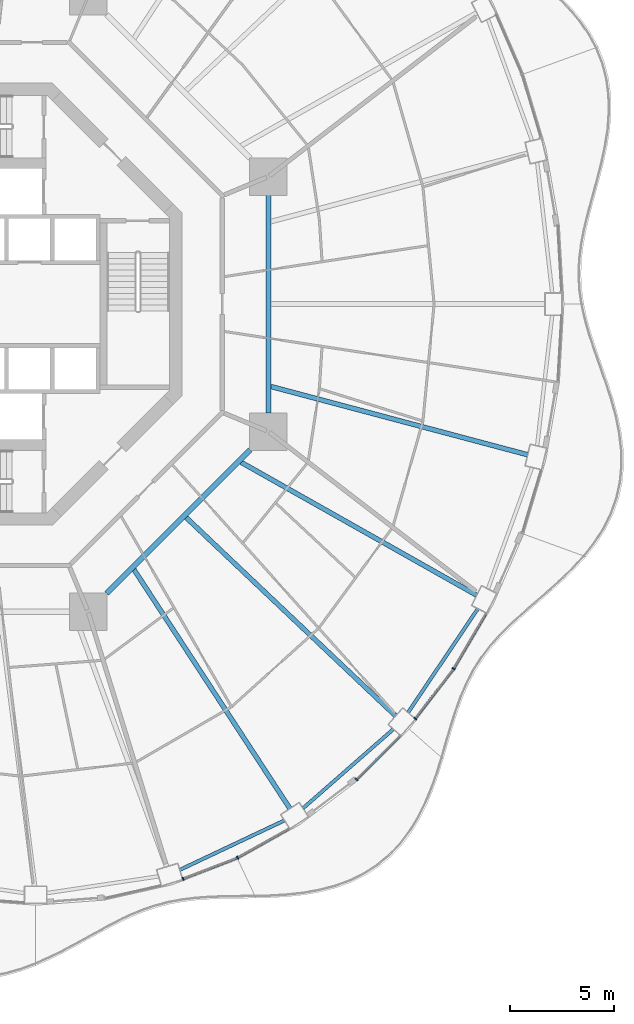
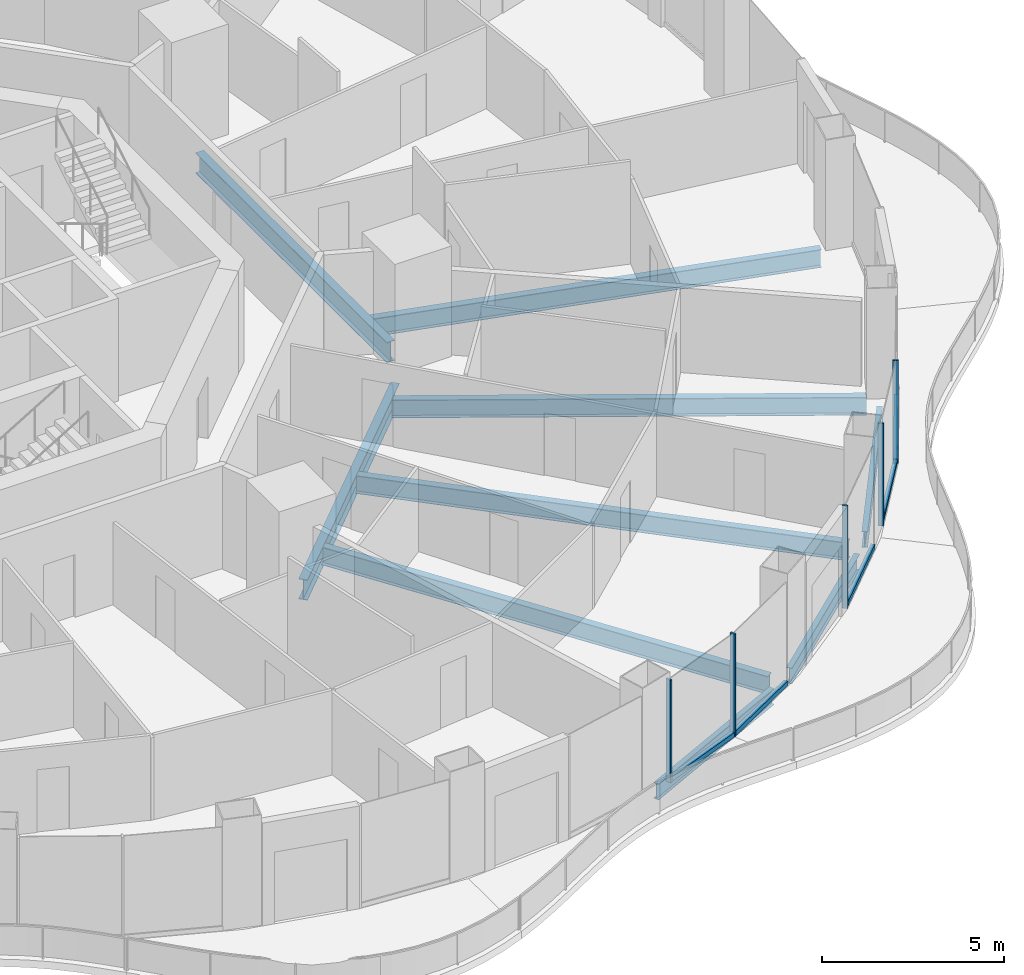
# One storey, part 4 of 19: 10 members, 9 beams, 5 elements without a shape of their own.
"""IFC4 building model written with IfcOpenShell, lengths in metres."""

from ifc_helpers import new_model, si_unit, direction, frame, origin, origin_2d, place, context, subcontext, project, spatial, rectangle, i_section, extrude, material, layer, layer_set, material_profile, profile_set, type_object, element, aggregate, save


model = new_model("IFC4")

# Units and contexts
model_context = context("Model", 3, precision=1e-05, world=origin(), true_north=direction((0.0, 1.0)))
body_context = subcontext(model_context, "Body", "Model", "MODEL_VIEW")
ifc_project = project(units=[si_unit("LENGTHUNIT", "METRE"), si_unit("AREAUNIT", "SQUARE_METRE"), si_unit("VOLUMEUNIT", "CUBIC_METRE"), si_unit("PLANEANGLEUNIT", "RADIAN"), si_unit("MASSUNIT", "GRAM", prefix="KILO")], contexts=[model_context])

# Site, building, storey
site_placement = place(None, origin())
site = spatial("IfcSite", under=ifc_project, at=site_placement, CompositionType="ELEMENT")
building_placement = place(site_placement, origin())
building = spatial("IfcBuilding", under=site, at=building_placement, Name="Nagisa Residences", CompositionType="ELEMENT")
storey_placement = place(building_placement, frame((0.0, 0.0, 195.5)))
storey = spatial("IfcBuildingStorey", under=building, at=storey_placement, Name="L49", CompositionType="ELEMENT", Elevation=195.5)

# Curtain wall, member
ifc_material_1 = material(Name="Concrete-coloured aluminium curtain wall system", Category="concrete")
ifc_layer = layer(ifc_material_1, 0.159912109375)
ifc_layer_set = layer_set([ifc_layer], Name="CW1 CURTAIN WALL")
curtain_wall_type = type_object("IfcCurtainWallType", Name="CW1 CURTAIN WALL", PredefinedType="NOTDEFINED", material=ifc_layer_set)
curtain_wall_1_placement = place(storey_placement, origin())
curtain_wall_1 = element("IfcCurtainWall", 1, at=curtain_wall_1_placement, inside=storey, type_object=curtain_wall_type, Name="cw:CW1:L49:38", PredefinedType="NOTDEFINED")
ifc_material_2 = material(Name="Concrete-coloured aluminium", Category="concrete")
ifc_material_profile_1 = material_profile(ifc_material_2, rectangle(XDim=0.159912109375, YDim=0.06005859375, at=origin_2d()), Name="CW1 MULLION 160x60")
ifc_profile_set_1 = profile_set([ifc_material_profile_1], Name="Concrete-coloured aluminium")
member_type_1 = type_object("IfcMemberType", Name="CW1 MULLION 160x60", PredefinedType="MULLION", material=ifc_profile_set_1)
member_1_placement = place(storey_placement, frame((10.6796875, -27.607421875, 0.0), z_axis=(0.0, 0.0, 1.0), x_axis=(-0.360327770268, 0.932825759707, 0.0)))
member_1 = element("IfcMember", 2, at=member_1_placement, type_object=member_type_1, Name="CW1 mullion", PredefinedType="MULLION", context=body_context, shape_type="SweptSolid", body=[
    extrude(rectangle(XDim=0.159912109375, YDim=0.06005859375, at=origin_2d()), origin(), (0.0, 0.0, 1.0), 3.43994140625),
])

curtain_wall_2_placement = place(storey_placement, origin())
curtain_wall_2 = element("IfcCurtainWall", 3, at=curtain_wall_2_placement, inside=storey, type_object=curtain_wall_type, Name="cw:CW1:L49:39", PredefinedType="NOTDEFINED")
member_2_placement = place(storey_placement, frame((13.297607421875, -26.592529296875, 0.0), z_axis=(0.0, 0.0, 1.0), x_axis=(-0.489376918501, 0.872072377523, 0.0)))
member_2 = element("IfcMember", 4, at=member_2_placement, type_object=member_type_1, Name="CW1 mullion", PredefinedType="MULLION", context=body_context, shape_type="SweptSolid", body=[
    extrude(rectangle(XDim=0.159912109375, YDim=0.06005859375, at=origin_2d()), origin(), (0.0, 0.0, 1.0), 3.43994140625),
])

curtain_wall_3_placement = place(storey_placement, origin())
curtain_wall_3 = element("IfcCurtainWall", 5, at=curtain_wall_3_placement, inside=storey, type_object=curtain_wall_type, Name="cw:CW1:L49:41", PredefinedType="NOTDEFINED")
member_3_placement = place(storey_placement, frame((19.011962890625, -22.830322265625, 0.0), z_axis=(0.0, 0.0, 1.0), x_axis=(-0.706376885714, 0.707835924016, 0.0)))
member_3 = element("IfcMember", 6, at=member_3_placement, type_object=member_type_1, Name="CW1 mullion", PredefinedType="MULLION", context=body_context, shape_type="SweptSolid", body=[
    extrude(rectangle(XDim=0.159912109375, YDim=0.06005859375, at=origin_2d()), origin(), (0.0, 0.0, 1.0), 3.43994140625),
])

curtain_wall_4_placement = place(storey_placement, origin())
curtain_wall_4 = element("IfcCurtainWall", 7, at=curtain_wall_4_placement, inside=storey, type_object=curtain_wall_type, Name="cw:CW1:L49:42", PredefinedType="NOTDEFINED")
member_4_placement = place(storey_placement, frame((21.83349609375, -19.909423828125, 0.0), z_axis=(0.0, 0.0, 1.0), x_axis=(-0.792070340816, 0.610429828235, 0.0)))
member_4 = element("IfcMember", 8, at=member_4_placement, type_object=member_type_1, Name="CW1 mullion", PredefinedType="MULLION", context=body_context, shape_type="SweptSolid", body=[
    extrude(rectangle(XDim=0.159912109375, YDim=0.06005859375, at=origin_2d()), origin(), (0.0, 0.0, 1.0), 3.43994140625),
])

curtain_wall_5_placement = place(storey_placement, origin())
curtain_wall_5 = element("IfcCurtainWall", 9, at=curtain_wall_5_placement, inside=storey, type_object=curtain_wall_type, Name="cw:CW1:L49:43", PredefinedType="NOTDEFINED")
member_5_placement = place(storey_placement, frame((23.677490234375, -17.51171875, 0.0), z_axis=(0.0, 0.0, 1.0), x_axis=(-0.862328898214, 0.506348567002, 0.0)))
member_5 = element("IfcMember", 10, at=member_5_placement, type_object=member_type_1, Name="CW1 mullion", PredefinedType="MULLION", context=body_context, shape_type="SweptSolid", body=[
    extrude(rectangle(XDim=0.159912109375, YDim=0.06005859375, at=origin_2d()), origin(), (0.0, 0.0, 1.0), 3.43994140625),
])

# Member
ifc_material_3 = material(Name="Concrete-coloured aluminium", Category="concrete")
ifc_material_profile_2 = material_profile(ifc_material_3, rectangle(XDim=0.1201171875, YDim=0.14990234375, at=origin_2d()), Name="CW1 TRANSOM 120x150")
ifc_profile_set_2 = profile_set([ifc_material_profile_2], Name="Concrete-coloured aluminium")
member_type_2 = type_object("IfcMemberType", Name="CW1 TRANSOM 120x150", PredefinedType="USERDEFINED", material=ifc_profile_set_2)
member_6_placement = place(storey_placement, frame((10.65185546875, -27.618408203125, 0.074951171875), z_axis=(0.932795487898, 0.360406128911, 0.0), x_axis=(-0.360406128911, 0.932795487898, 0.0)))
member_6 = element("IfcMember", 11, at=member_6_placement, type_object=member_type_2, Name="CW1 transom", ObjectType="TRANSOM", PredefinedType="USERDEFINED", context=body_context, shape_type="SweptSolid", body=[
    extrude(rectangle(XDim=0.1201171875, YDim=0.14990234375, at=origin_2d()), origin(), (0.0, 0.0, 1.0), 2.8193359375),
])

aggregate(curtain_wall_1, [member_1, member_6])

member_7_placement = place(storey_placement, frame((13.271484375, -26.607177734375, 0.074951171875), z_axis=(0.872078262455, 0.489366431371, 0.0), x_axis=(-0.489366431371, 0.872078262455, 0.0)))
member_7 = element("IfcMember", 12, at=member_7_placement, type_object=member_type_2, Name="CW1 transom", ObjectType="TRANSOM", PredefinedType="USERDEFINED", context=body_context, shape_type="SweptSolid", body=[
    extrude(rectangle(XDim=0.1201171875, YDim=0.14990234375, at=origin_2d()), origin(), (0.0, 0.0, 1.0), 2.863525390625),
])

aggregate(curtain_wall_2, [member_2, member_7])

member_8_placement = place(storey_placement, frame((18.99072265625, -22.8515625, 0.074951171875), z_axis=(0.707803821372, 0.706409053206, 0.0), x_axis=(-0.706409053206, 0.707803821372, 0.0)))
member_8 = element("IfcMember", 13, at=member_8_placement, type_object=member_type_2, Name="CW1 transom", ObjectType="TRANSOM", PredefinedType="USERDEFINED", context=body_context, shape_type="SweptSolid", body=[
    extrude(rectangle(XDim=0.1201171875, YDim=0.14990234375, at=origin_2d()), origin(), (0.0, 0.0, 1.0), 2.9755859375),
])

aggregate(curtain_wall_3, [member_3, member_8])

member_9_placement = place(storey_placement, frame((21.815185546875, -19.933349609375, 0.074951171875), z_axis=(0.610398538814, 0.792094453846, 0.0), x_axis=(-0.792094453846, 0.610398538814, 0.0)))
member_9 = element("IfcMember", 14, at=member_9_placement, type_object=member_type_2, Name="CW1 transom", ObjectType="TRANSOM", PredefinedType="USERDEFINED", context=body_context, shape_type="SweptSolid", body=[
    extrude(rectangle(XDim=0.1201171875, YDim=0.14990234375, at=origin_2d()), origin(), (0.0, 0.0, 1.0), 3.035400390625),
])

aggregate(curtain_wall_4, [member_4, member_9])

member_10_placement = place(storey_placement, frame((23.662353515625, -17.53759765625, 0.074951171875), z_axis=(0.506367803691, 0.862317602386, 0.0), x_axis=(-0.862317602386, 0.506367803691, 0.0)))
member_10 = element("IfcMember", 15, at=member_10_placement, type_object=member_type_2, Name="CW1 transom", ObjectType="TRANSOM", PredefinedType="USERDEFINED", context=body_context, shape_type="SweptSolid", body=[
    extrude(rectangle(XDim=0.1201171875, YDim=0.14990234375, at=origin_2d()), origin(), (0.0, 0.0, 1.0), 3.092041015625),
])

aggregate(curtain_wall_5, [member_5, member_10])

# Beams
ifc_material_4 = material(Name="Steel ASTM A572 Gr 50", Category="steel")
ifc_material_profile_3 = material_profile(ifc_material_4, i_section(OverallWidth=0.25390625, OverallDepth=0.68408203125, WebThickness=0.012451171875, FlangeThickness=0.018798828125, at=origin_2d()), Name="W690x140")
ifc_profile_set_3 = profile_set([ifc_material_profile_3], Name="Steel ASTM A572 Gr 50")
beam_type_1 = type_object("IfcBeamType", Name="Inner ring beam W690x140", PredefinedType="BEAM", material=ifc_profile_set_3)
beam_1_placement = place(storey_placement, frame((7.0087890625, -13.896240234375, -0.60205078125), z_axis=(0.707106781187, 0.707106781187, 0.0), x_axis=(-0.707106781187, 0.707106781187, 0.0)))
element("IfcBeam", 16, at=beam_1_placement, inside=storey, type_object=beam_type_1, Name="beam:L49:ib7", PredefinedType="BEAM", context=body_context, shape_type="SweptSolid", body=[
    extrude(i_section(OverallWidth=0.25390625, OverallDepth=0.68408203125, WebThickness=0.012451171875, FlangeThickness=0.018798828125, at=origin_2d()), origin(), (0.0, 0.0, 1.0), 9.740234375),
])
beam_2_placement = place(storey_placement, frame((14.781982421875, -5.242919921875, -0.60205078125), z_axis=(0.0, 1.0, 0.0), x_axis=(-1.0, 0.0, 0.0)))
element("IfcBeam", 17, at=beam_2_placement, inside=storey, type_object=beam_type_1, Name="beam:L49:ib8", PredefinedType="BEAM", context=body_context, shape_type="SweptSolid", body=[
    extrude(i_section(OverallWidth=0.25390625, OverallDepth=0.68408203125, WebThickness=0.012451171875, FlangeThickness=0.018798828125, at=origin_2d()), origin(), (0.0, 0.0, 1.0), 10.48583984375),
])
ifc_material_5 = material(Name="Steel ASTM A572 Gr 50", Category="steel")
ifc_material_profile_4 = material_profile(ifc_material_5, i_section(OverallWidth=0.166015625, OverallDepth=0.534912109375, WebThickness=0.01025390625, FlangeThickness=0.0166015625, at=origin_2d()), Name="W530x85")
ifc_profile_set_4 = profile_set([ifc_material_profile_4], Name="Steel ASTM A572 Gr 50")
beam_type_2 = type_object("IfcBeamType", Name="Perimeter ring beam W530x85", PredefinedType="BEAM", material=ifc_profile_set_4)
beam_3_placement = place(storey_placement, frame((10.522705078125, -27.17919921875, -0.527587890625), z_axis=(0.904157325884, 0.427199637232, 0.0), x_axis=(-0.427199637232, 0.904157325884, 0.0)))
element("IfcBeam", 18, at=beam_3_placement, inside=storey, type_object=beam_type_2, Name="beam:L49:pb20", PredefinedType="BEAM", context=body_context, shape_type="SweptSolid", body=[
    extrude(i_section(OverallWidth=0.166015625, OverallDepth=0.534912109375, WebThickness=0.01025390625, FlangeThickness=0.0166015625, at=origin_2d()), origin(), (0.0, 0.0, 1.0), 5.56396484375),
])
beam_4_placement = place(storey_placement, frame((16.440185546875, -24.220947265625, -0.527587890625), z_axis=(0.752461486776, 0.658636250838, 0.0), x_axis=(-0.658636250838, 0.752461486776, 0.0)))
element("IfcBeam", 19, at=beam_4_placement, inside=storey, type_object=beam_type_2, Name="beam:L49:pb21", PredefinedType="BEAM", context=body_context, shape_type="SweptSolid", body=[
    extrude(i_section(OverallWidth=0.166015625, OverallDepth=0.534912109375, WebThickness=0.01025390625, FlangeThickness=0.0166015625, at=origin_2d()), origin(), (0.0, 0.0, 1.0), 5.776611328125),
])
beam_5_placement = place(storey_placement, frame((21.487548828125, -19.62060546875, -0.527587890625), z_axis=(0.558152301307, 0.829738518177, 0.0), x_axis=(-0.829738518177, 0.558152301307, 0.0)))
element("IfcBeam", 20, at=beam_5_placement, inside=storey, type_object=beam_type_2, Name="beam:L49:pb22", PredefinedType="BEAM", context=body_context, shape_type="SweptSolid", body=[
    extrude(i_section(OverallWidth=0.166015625, OverallDepth=0.534912109375, WebThickness=0.01025390625, FlangeThickness=0.0166015625, at=origin_2d()), origin(), (0.0, 0.0, 1.0), 6.013916015625),
])
ifc_material_6 = material(Name="Steel ASTM A572 Gr 50", Category="steel")
ifc_material_profile_5 = material_profile(ifc_material_6, i_section(OverallWidth=0.22802734375, OverallDepth=0.60302734375, WebThickness=0.010498046875, FlangeThickness=0.014892578125, at=origin_2d()), Name="W610x101")
ifc_profile_set_5 = profile_set([ifc_material_profile_5], Name="Steel ASTM A572 Gr 50")
beam_type_3 = type_object("IfcBeamType", Name="Radial beam W610x101", PredefinedType="BEAM", material=ifc_profile_set_5)
beam_6_placement = place(storey_placement, frame((15.816162109375, -24.234375, -0.5615234375), z_axis=(-0.546541244511, 0.837432187135, 0.0), x_axis=(-0.837432187135, -0.546541244511, 0.0)))
element("IfcBeam", 21, at=beam_6_placement, inside=storey, type_object=beam_type_3, Name="beam:L49:rb21", PredefinedType="BEAM", context=body_context, shape_type="SweptSolid", body=[
    extrude(i_section(OverallWidth=0.22802734375, OverallDepth=0.60302734375, WebThickness=0.010498046875, FlangeThickness=0.014892578125, at=origin_2d()), origin(), (0.0, 0.0, 1.0), 13.72412109375),
])
beam_7_placement = place(storey_placement, frame((20.89501953125, -19.785400390625, -0.5615234375), z_axis=(-0.726119962477, 0.687568033064, 0.0), x_axis=(-0.687568033064, -0.726119962477, 0.0)))
element("IfcBeam", 22, at=beam_7_placement, inside=storey, type_object=beam_type_3, Name="beam:L49:rb22", PredefinedType="BEAM", context=body_context, shape_type="SweptSolid", body=[
    extrude(i_section(OverallWidth=0.22802734375, OverallDepth=0.60302734375, WebThickness=0.010498046875, FlangeThickness=0.014892578125, at=origin_2d()), origin(), (0.0, 0.0, 1.0), 13.88134765625),
])
beam_8_placement = place(storey_placement, frame((24.789306640625, -13.98828125, -0.5615234375), z_axis=(-0.870904520395, 0.491452252366, 0.0), x_axis=(-0.491452252366, -0.870904520395, 0.0)))
element("IfcBeam", 23, at=beam_8_placement, inside=storey, type_object=beam_type_3, Name="beam:L49:rb23", PredefinedType="BEAM", context=body_context, shape_type="SweptSolid", body=[
    extrude(i_section(OverallWidth=0.22802734375, OverallDepth=0.60302734375, WebThickness=0.010498046875, FlangeThickness=0.014892578125, at=origin_2d()), origin(), (0.0, 0.0, 1.0), 13.007080078125),
])
beam_9_placement = place(storey_placement, frame((27.23583984375, -7.239990234375, -0.5615234375), z_axis=(-0.966436061719, 0.256907256826, 0.0), x_axis=(-0.256907256826, -0.966436061719, 0.0)))
element("IfcBeam", 24, at=beam_9_placement, inside=storey, type_object=beam_type_3, Name="beam:L49:rb24", PredefinedType="BEAM", context=body_context, shape_type="SweptSolid", body=[
    extrude(i_section(OverallWidth=0.22802734375, OverallDepth=0.60302734375, WebThickness=0.010498046875, FlangeThickness=0.014892578125, at=origin_2d()), origin(), (0.0, 0.0, 1.0), 12.77490234375),
])

save(model, "model.ifc")
